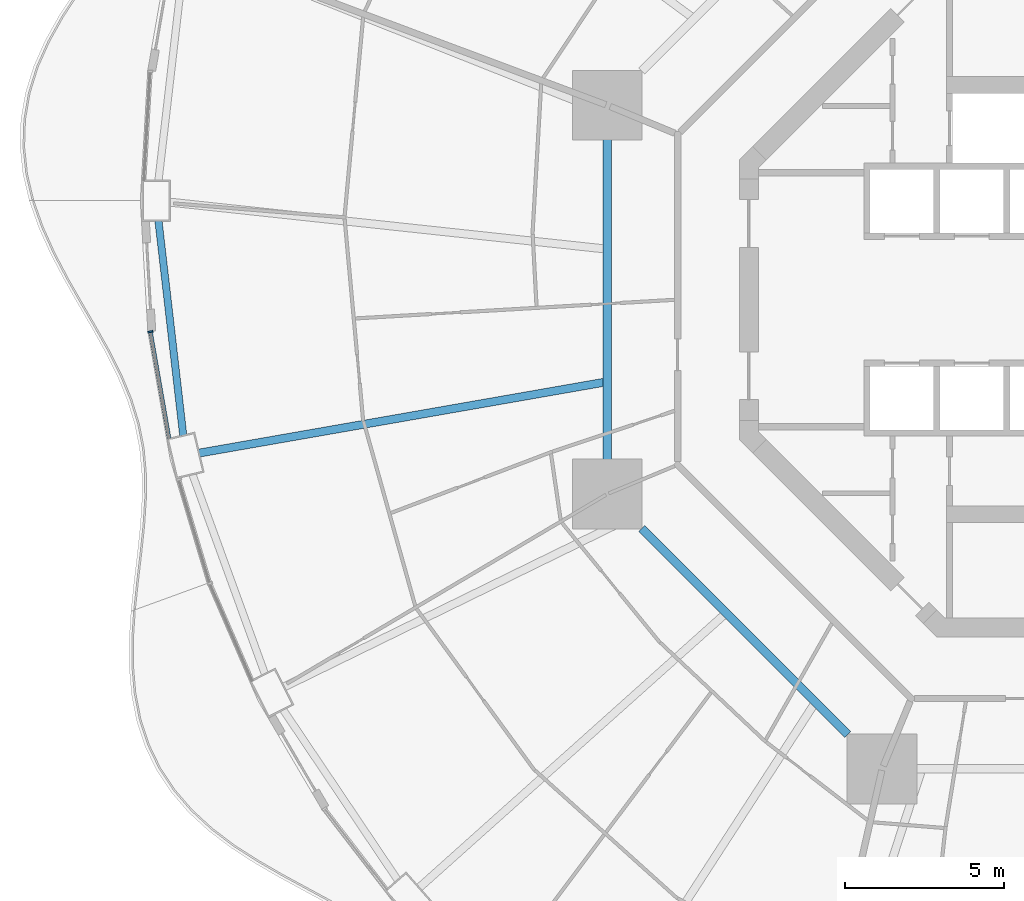
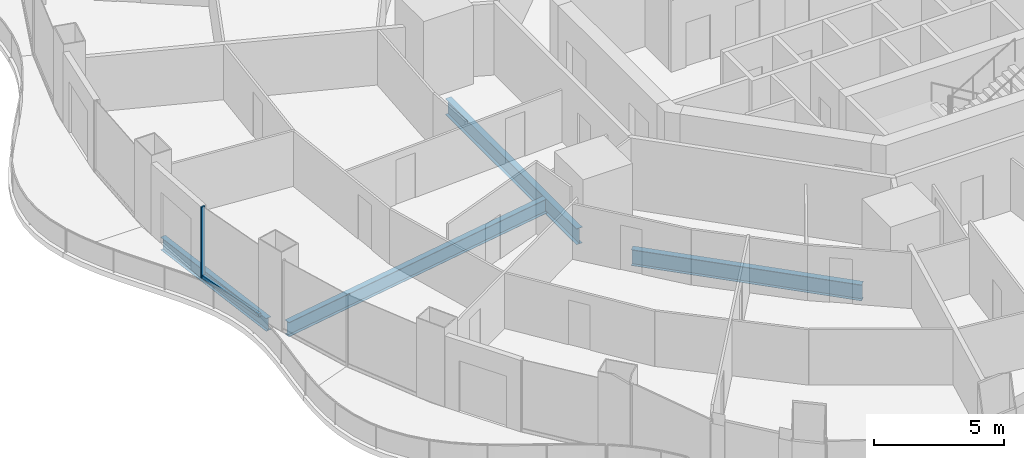
# One storey, part 4 of 23: 4 beams, 2 members, 1 element without a shape of its own.
"""IFC4 building model written with IfcOpenShell, lengths in metres."""

from ifc_helpers import new_model, si_unit, direction, frame, origin, origin_2d, place, context, subcontext, project, spatial, rectangle, i_section, extrude, material, layer, layer_set, material_profile, profile_set, type_object, element, aggregate, save


model = new_model("IFC4")

# Units and contexts
model_context = context("Model", 3, precision=1e-05, world=origin(), true_north=direction((0.0, 1.0)))
body_context = subcontext(model_context, "Body", "Model", "MODEL_VIEW")
ifc_project = project(units=[si_unit("LENGTHUNIT", "METRE"), si_unit("AREAUNIT", "SQUARE_METRE"), si_unit("VOLUMEUNIT", "CUBIC_METRE"), si_unit("PLANEANGLEUNIT", "RADIAN"), si_unit("MASSUNIT", "GRAM", prefix="KILO")], contexts=[model_context])

# Site, building, storey
site_placement = place(None, origin())
site = spatial("IfcSite", under=ifc_project, at=site_placement, CompositionType="ELEMENT")
building_placement = place(site_placement, origin())
building = spatial("IfcBuilding", under=site, at=building_placement, Name="Nagisa Residences", CompositionType="ELEMENT")
storey_placement = place(building_placement, frame((0.0, 0.0, 110.300048828125)))
storey = spatial("IfcBuildingStorey", under=building, at=storey_placement, Name="L27", CompositionType="ELEMENT", Elevation=110.300048828125)

# Curtain wall, members
ifc_material_1 = material(Name="Concrete-coloured aluminium curtain wall system", Category="concrete")
ifc_layer = layer(ifc_material_1, 0.159912109375)
ifc_layer_set = layer_set([ifc_layer], Name="CW1 CURTAIN WALL")
curtain_wall_type = type_object("IfcCurtainWallType", Name="CW1 CURTAIN WALL", PredefinedType="NOTDEFINED", material=ifc_layer_set)
curtain_wall_placement = place(storey_placement, origin())
curtain_wall = element("IfcCurtainWall", 1, at=curtain_wall_placement, inside=storey, type_object=curtain_wall_type, Name="cw:CW1:L27:25", PredefinedType="NOTDEFINED")
ifc_material_2 = material(Name="Concrete-coloured aluminium", Category="concrete")
ifc_material_profile_1 = material_profile(ifc_material_2, rectangle(XDim=0.159912109375, YDim=0.06005859375, at=origin_2d()), Name="CW1 MULLION 160x60")
ifc_profile_set_1 = profile_set([ifc_material_profile_1], Name="Concrete-coloured aluminium")
member_type_1 = type_object("IfcMemberType", Name="CW1 MULLION 160x60", PredefinedType="MULLION", material=ifc_profile_set_1)
member_1_placement = place(storey_placement, frame((-29.174072265625, -1.01171875, 0.0), z_axis=(0.0, 0.0, 1.0), x_axis=(0.985063604377, 0.172190868898, 0.0)))
member_1 = element("IfcMember", 2, at=member_1_placement, type_object=member_type_1, Name="CW1 mullion", PredefinedType="MULLION", context=body_context, shape_type="SweptSolid", body=[
    extrude(rectangle(XDim=0.159912109375, YDim=0.06005859375, at=origin_2d()), origin(), (0.0, 0.0, 1.0), 3.349853515625),
])
ifc_material_3 = material(Name="Concrete-coloured aluminium", Category="concrete")
ifc_material_profile_2 = material_profile(ifc_material_3, rectangle(XDim=0.1201171875, YDim=0.14990234375, at=origin_2d()), Name="CW1 TRANSOM 120x150")
ifc_profile_set_2 = profile_set([ifc_material_profile_2], Name="Concrete-coloured aluminium")
member_type_2 = type_object("IfcMemberType", Name="CW1 TRANSOM 120x150", PredefinedType="USERDEFINED", material=ifc_profile_set_2)
member_2_placement = place(storey_placement, frame((-29.17919921875, -0.982177734375, 0.074951171875), z_axis=(0.172164316671, -0.985068245385, 0.0), x_axis=(0.985068245385, 0.172164316671, 0.0)))
member_2 = element("IfcMember", 3, at=member_2_placement, type_object=member_type_2, Name="CW1 transom", ObjectType="TRANSOM", PredefinedType="USERDEFINED", context=body_context, shape_type="SweptSolid", body=[
    extrude(rectangle(XDim=0.1201171875, YDim=0.14990234375, at=origin_2d()), origin(), (0.0, 0.0, 1.0), 3.454345703125),
])
aggregate(curtain_wall, [member_1, member_2])

# Beams
ifc_material_4 = material(Name="Steel ASTM A572 Gr 50", Category="steel")
ifc_material_profile_3 = material_profile(ifc_material_4, i_section(OverallWidth=0.264892578125, OverallDepth=0.7529296875, WebThickness=0.01318359375, FlangeThickness=0.01708984375, at=origin_2d()), Name="W760x147")
ifc_profile_set_3 = profile_set([ifc_material_profile_3], Name="Steel ASTM A572 Gr 50")
beam_type_1 = type_object("IfcBeamType", Name="Inner ring beam W760x147", PredefinedType="BEAM", material=ifc_profile_set_3)
beam_1_placement = place(storey_placement, frame((-14.781982421875, 5.04296875, -0.636474609375), z_axis=(0.0, -1.0, 0.0), x_axis=(1.0, 0.0, 0.0)))
element("IfcBeam", 4, at=beam_1_placement, inside=storey, type_object=beam_type_1, Name="beam:L27:ib4", PredefinedType="BEAM", context=body_context, shape_type="SweptSolid", body=[
    extrude(i_section(OverallWidth=0.264892578125, OverallDepth=0.7529296875, WebThickness=0.01318359375, FlangeThickness=0.01708984375, at=origin_2d()), origin(), (0.0, 0.0, 1.0), 10.0859375),
])
beam_2_placement = place(storey_placement, frame((-13.6962890625, -7.208740234375, -0.636474609375), z_axis=(0.707106781187, -0.707106781187, 0.0), x_axis=(0.707106781187, 0.707106781187, 0.0)))
element("IfcBeam", 5, at=beam_2_placement, inside=storey, type_object=beam_type_1, Name="beam:L27:ib5", PredefinedType="BEAM", context=body_context, shape_type="SweptSolid", body=[
    extrude(i_section(OverallWidth=0.264892578125, OverallDepth=0.7529296875, WebThickness=0.01318359375, FlangeThickness=0.01708984375, at=origin_2d()), origin(), (0.0, 0.0, 1.0), 9.1748046875),
])
ifc_material_5 = material(Name="Steel ASTM A572 Gr 50", Category="steel")
ifc_material_profile_4 = material_profile(ifc_material_5, i_section(OverallWidth=0.22802734375, OverallDepth=0.60302734375, WebThickness=0.010498046875, FlangeThickness=0.014892578125, at=origin_2d()), Name="W610x101")
ifc_profile_set_4 = profile_set([ifc_material_profile_4], Name="Steel ASTM A572 Gr 50")
beam_type_2 = type_object("IfcBeamType", Name="Perimeter ring beam W610x101", PredefinedType="BEAM", material=ifc_profile_set_4)
beam_3_placement = place(storey_placement, frame((-28.92236328125, 2.487548828125, -0.5615234375), z_axis=(0.114690766503, -0.993401242237, 0.0), x_axis=(0.993401242237, 0.114690766503, 0.0)))
element("IfcBeam", 6, at=beam_3_placement, inside=storey, type_object=beam_type_2, Name="beam:L27:pb13", PredefinedType="BEAM", context=body_context, shape_type="SweptSolid", body=[
    extrude(i_section(OverallWidth=0.22802734375, OverallDepth=0.60302734375, WebThickness=0.010498046875, FlangeThickness=0.014892578125, at=origin_2d()), origin(), (0.0, 0.0, 1.0), 6.811767578125),
])
ifc_material_6 = material(Name="Steel ASTM A572 Gr 50", Category="steel")
ifc_material_profile_5 = material_profile(ifc_material_6, i_section(OverallWidth=0.2529296875, OverallDepth=0.677978515625, WebThickness=0.01171875, FlangeThickness=0.016357421875, at=origin_2d()), Name="W690x125")
ifc_profile_set_5 = profile_set([ifc_material_profile_5], Name="Steel ASTM A572 Gr 50")
beam_type_3 = type_object("IfcBeamType", Name="Radial beam W690x125", PredefinedType="BEAM", material=ifc_profile_set_5)
beam_4_placement = place(storey_placement, frame((-27.64404296875, -4.83544921875, -0.59912109375), z_axis=(0.985042235616, 0.172313069883, 0.0), x_axis=(-0.172313069883, 0.985042235616, 0.0)))
element("IfcBeam", 7, at=beam_4_placement, inside=storey, type_object=beam_type_3, Name="beam:L27:rb14", PredefinedType="BEAM", context=body_context, shape_type="SweptSolid", body=[
    extrude(i_section(OverallWidth=0.2529296875, OverallDepth=0.677978515625, WebThickness=0.01171875, FlangeThickness=0.016357421875, at=origin_2d()), origin(), (0.0, 0.0, 1.0), 12.94287109375),
])

save(model, "model.ifc")
